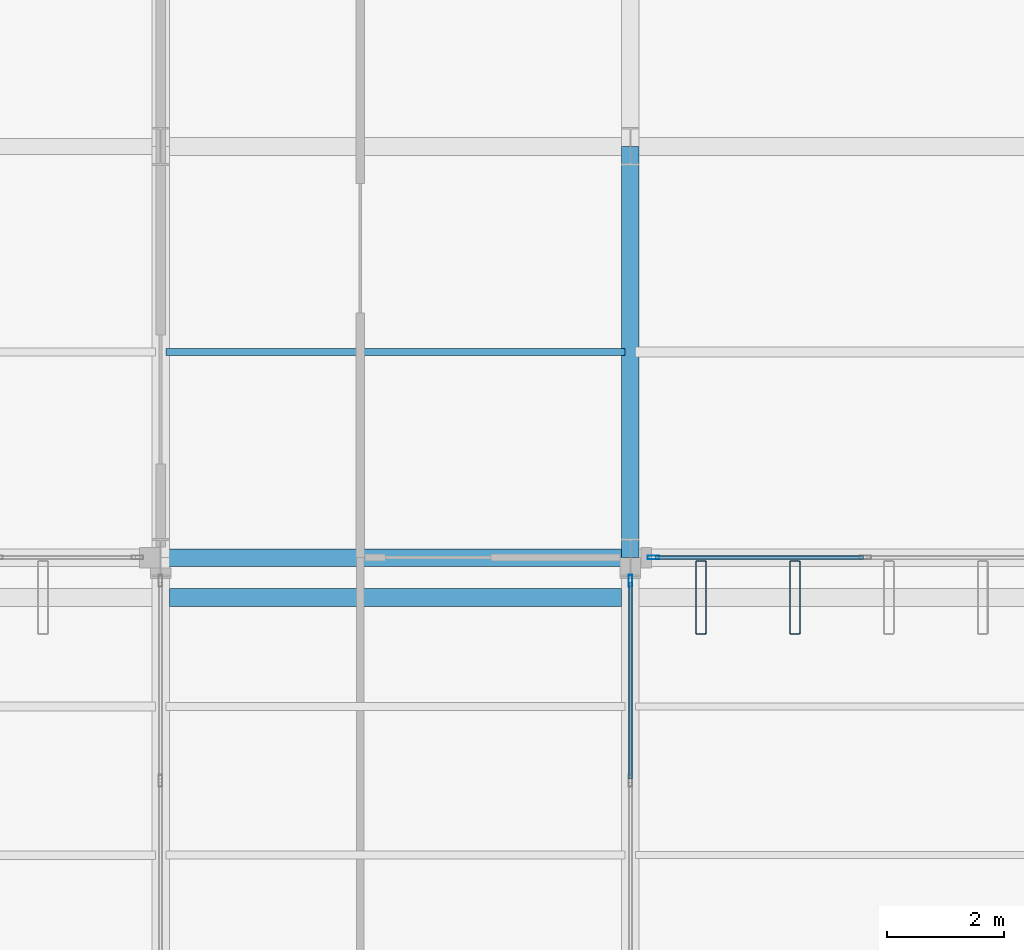
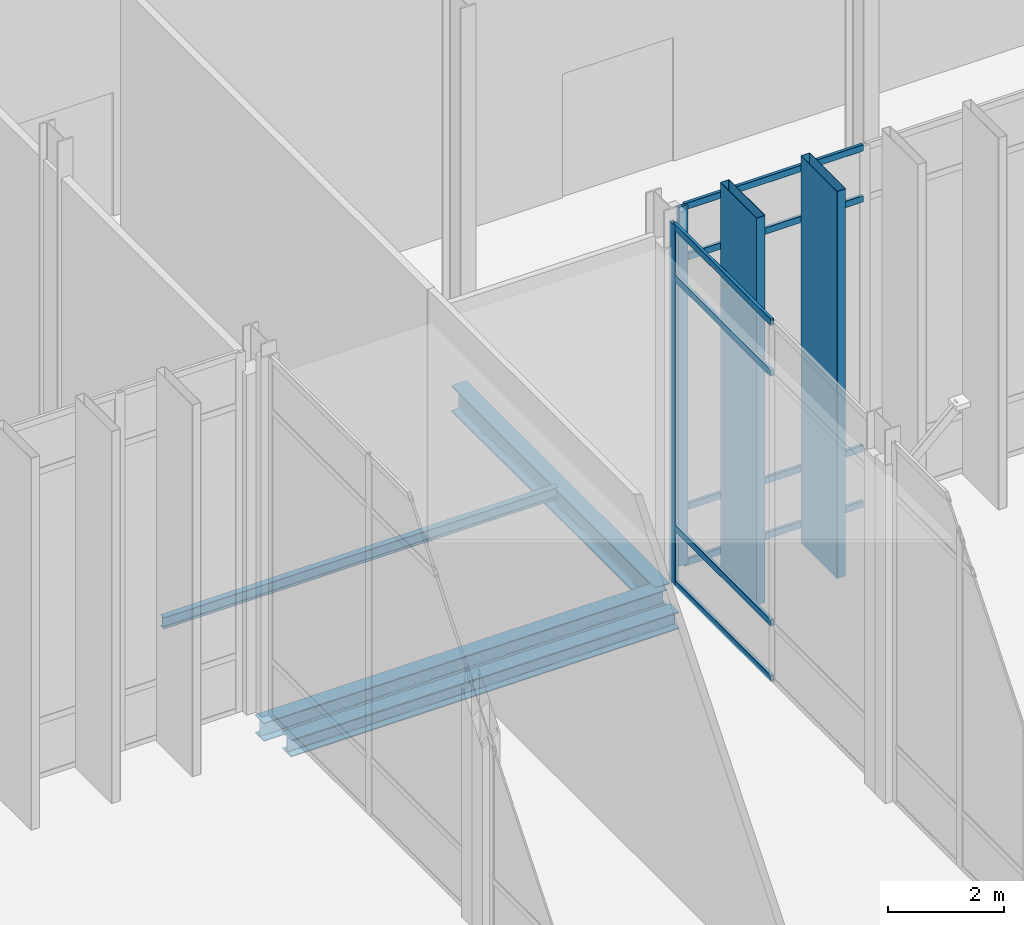
# One storey, part 50 of 176: 12 members, 4 beams, 2 elements without a shape of their own.
"""IFC4 building model written with IfcOpenShell, lengths in metres."""

import ifcopenshell
import ifcopenshell.guid

model = None  # the IFC model being written
_history = None  # IfcOwnerHistory: only IFC2X3 demands one
_inside = {}  # id of a spatial element -> (the spatial element, [elements in it])
_under = {}  # id of a project, library or spatial element -> (it, [spatial elements below it])
_declared = {}  # id of a project -> (the project, [libraries it declares])
_typed = {}  # id of a type object -> (the type object, [elements of that type])
_made_of = {}  # id of a material, layer set ... -> (it, [elements and type objects made of it])


def new_model(schema):
    """Start an empty IFC model of exactly this schema.

    Asked for "IFC4X3", IfcOpenShell would pick the latest addendum, in which some entities
    have other attributes; the version numbers below select the first issue.
    IFC2X3 requires an IfcOwnerHistory on every rooted entity: one is made here for all.
    """
    global model, _history
    if schema == "IFC4X3":
        model = ifcopenshell.file(schema_version=(4, 3, 0, 0))
    else:
        model = ifcopenshell.file(schema=schema)
    _inside.clear()
    _under.clear()
    _declared.clear()
    _typed.clear()
    _made_of.clear()
    _history = None
    if model.schema == "IFC2X3":
        org = make("IfcOrganization", Name="unknown")
        user = make(
            "IfcPersonAndOrganization",
            ThePerson=make("IfcPerson", FamilyName="unknown"),
            TheOrganization=org,
        )
        app = make(
            "IfcApplication",
            ApplicationDeveloper=org,
            Version="unknown",
            ApplicationFullName="unknown",
            ApplicationIdentifier="unknown",
        )
        _history = make(
            "IfcOwnerHistory",
            OwningUser=user,
            OwningApplication=app,
            ChangeAction="ADDED",
            CreationDate=0,
        )
    return model


def make(cls, **values):
    """One entity of the class cls with the attributes given. An attribute that is None is left unset."""
    return model.create_entity(
        cls, **{name: value for name, value in values.items() if value is not None}
    )


def rooted(cls, **values):
    """An entity with a GlobalId (a new one), such as an element, a storey or a relation."""
    return make(cls, GlobalId=ifcopenshell.guid.new(), OwnerHistory=_history, **values)


def si_unit(unit_type, name, prefix=None):
    """IfcSIUnit, for example si_unit("LENGTHUNIT", "METRE", prefix="MILLI")."""
    return make("IfcSIUnit", UnitType=unit_type, Prefix=prefix, Name=name)


def assignment(units):
    """IfcUnitAssignment: the units of a project."""
    return None if units is None else make("IfcUnitAssignment", Units=units)


def point(xyz):
    """IfcCartesianPoint."""
    return None if xyz is None else make("IfcCartesianPoint", Coordinates=xyz)


def direction(xyz):
    """IfcDirection."""
    return None if xyz is None else make("IfcDirection", DirectionRatios=xyz)


def frame(location, z_axis=None, x_axis=None):
    """IfcAxis2Placement3D, a coordinate frame: its origin and axes. An axis left out is left unset."""
    return make(
        "IfcAxis2Placement3D",
        Location=point(location),
        Axis=direction(z_axis),
        RefDirection=direction(x_axis),
    )


def frame_2d(location, x_axis=None):
    """IfcAxis2Placement2D, a coordinate frame in the plane: its origin and x axis."""
    return make(
        "IfcAxis2Placement2D", Location=point(location), RefDirection=direction(x_axis)
    )


def origin():
    """The frame at (0, 0, 0) with its axes left unset."""
    return frame((0.0, 0.0, 0.0))


def origin_2d():
    """The frame at (0, 0) in the plane with its x axis left unset."""
    return frame_2d((0.0, 0.0))


def place(relative_to, where):
    """IfcLocalPlacement: puts the frame where relative to a parent placement (None: the world)."""
    return make(
        "IfcLocalPlacement", PlacementRelTo=relative_to, RelativePlacement=where
    )


def context(
    kind, dimensions, precision=None, world=None, true_north=None, identifier=None
):
    """IfcGeometricRepresentationContext, for example the 3D "Model" context."""
    return make(
        "IfcGeometricRepresentationContext",
        ContextIdentifier=identifier,
        ContextType=kind,
        CoordinateSpaceDimension=dimensions,
        Precision=precision,
        WorldCoordinateSystem=world,
        TrueNorth=true_north,
    )


def subcontext(parent, identifier, kind, view, scale=None):
    """IfcGeometricRepresentationSubContext, for example "Body" below "Model"."""
    return make(
        "IfcGeometricRepresentationSubContext",
        ContextIdentifier=identifier,
        ContextType=kind,
        ParentContext=parent,
        TargetScale=scale,
        TargetView=view,
    )


def project(units=None, contexts=None):
    """IfcProject with its units and contexts."""
    return rooted(
        "IfcProject",
        Name="project",
        RepresentationContexts=contexts,
        UnitsInContext=assignment(units),
    )


def spatial(cls, under=None, at=None, **own):
    """A site, building, storey or space (cls), placed at a placement, below another one or the project."""
    s = rooted(cls, ObjectPlacement=at, **own)
    if under is not None:
        _under.setdefault(under.id(), (under, []))[1].append(s)
    return s


def profile(cls, at=None, kind="AREA", **sizes):
    """A parametric profile (cls). Its sizes go by their IFC names, for example OverallWidth=200.0."""
    return make(cls, ProfileType=kind, Position=at, **sizes)


def hollow_rectangle(**sizes):
    """IfcRectangleHollowProfileDef."""
    return profile("IfcRectangleHollowProfileDef", **sizes)


def i_section(**sizes):
    """IfcIShapeProfileDef."""
    return profile("IfcIShapeProfileDef", **sizes)


def extrude(swept, where, along, depth):
    """IfcExtrudedAreaSolid: the profile swept, set in the frame where, extruded along a direction by depth."""
    return make(
        "IfcExtrudedAreaSolid",
        SweptArea=swept,
        Position=where,
        ExtrudedDirection=direction(along),
        Depth=depth,
    )


def shape(context_of_items, identifier, shape_type, items):
    """IfcShapeRepresentation: the items that make up one representation, for example the "Body"."""
    return make(
        "IfcShapeRepresentation",
        ContextOfItems=context_of_items,
        RepresentationIdentifier=identifier,
        RepresentationType=shape_type,
        Items=items,
    )


def material(Name=None, Category=None):
    """IfcMaterial."""
    return make("IfcMaterial", Name=Name, Category=Category)


def layer(
    of_material, thickness, ventilated=None, Name=None, Category=None, Priority=None
):
    """IfcMaterialLayer: one layer of a wall or slab, of a material (None: an air gap)."""
    return make(
        "IfcMaterialLayer",
        Material=of_material,
        LayerThickness=thickness,
        IsVentilated=ventilated,
        Name=Name,
        Category=Category,
        Priority=Priority,
    )


def layer_set(layers, Name=None):
    """IfcMaterialLayerSet."""
    return make("IfcMaterialLayerSet", MaterialLayers=layers, LayerSetName=Name)


def material_profile(
    of_material, cross_section, Name=None, Category=None, Priority=None
):
    """IfcMaterialProfile: a cross section and its material."""
    return make(
        "IfcMaterialProfile",
        Name=Name,
        Material=of_material,
        Profile=cross_section,
        Priority=Priority,
        Category=Category,
    )


def profile_set(profiles, Name=None, composite=None):
    """IfcMaterialProfileSet."""
    return make(
        "IfcMaterialProfileSet",
        Name=Name,
        MaterialProfiles=profiles,
        CompositeProfile=composite,
    )


def made_of(thing, what):
    """Note that an element or type object is made of a material, layer set ...; save() writes the relation."""
    if what is not None:
        _made_of.setdefault(what.id(), (what, []))[1].append(thing)
    return thing


def type_object(cls, material=None, **own):
    """A type object (cls), such as IfcWallType, which elements share."""
    return made_of(rooted(cls, **own), material)


def element(
    cls,
    number,
    at=None,
    inside=None,
    cuts=None,
    type_object=None,
    material=None,
    context=None,
    identifier="Body",
    shape_type=None,
    held_by="IfcProductDefinitionShape",
    body=None,
    shapes=None,
    **own,
):
    """One element of the class cls, such as IfcWall. Its Tag is "e" and its number.

    at: its placement. inside: the storey or other place that contains it. cuts: it is an
    opening in that element (IfcRelVoidsElement). A single representation is given by context,
    identifier, shape_type and body (its items); several are given by shapes. held_by: the class
    of the entity that holds the representations. save() writes the other relations.
    """
    e = rooted(cls, Tag="e%d" % number, ObjectPlacement=at, **own)
    if body is not None:
        shapes = [shape(context, identifier, shape_type, body)]
    if shapes is not None:
        e.Representation = make(held_by, Representations=shapes)
    if inside is not None:
        _inside.setdefault(inside.id(), (inside, []))[1].append(e)
    if cuts is not None:
        rooted(
            "IfcRelVoidsElement", RelatingBuildingElement=cuts, RelatedOpeningElement=e
        )
    if type_object is not None:
        _typed.setdefault(type_object.id(), (type_object, []))[1].append(e)
    return made_of(e, material)


def aggregate(whole, parts):
    """IfcRelAggregates: a whole, such as a stair, and the parts it consists of."""
    return rooted("IfcRelAggregates", RelatingObject=whole, RelatedObjects=parts)


def save(model, path):
    """Write the relations noted so far, then the file.

    IfcRelAggregates (storeys below a building ...), IfcRelContainedInSpatialStructure (elements
    in a storey), IfcRelDefinesByType, IfcRelAssociatesMaterial and IfcRelDeclares: one each for
    every whole, place, type object, material and project.
    """
    for whole, parts in _under.values():
        aggregate(whole, parts)
    for where, things in _inside.values():
        rooted(
            "IfcRelContainedInSpatialStructure",
            RelatedElements=things,
            RelatingStructure=where,
        )
    for kind, things in _typed.values():
        rooted("IfcRelDefinesByType", RelatedObjects=things, RelatingType=kind)
    for what, things in _made_of.values():
        rooted("IfcRelAssociatesMaterial", RelatedObjects=things, RelatingMaterial=what)
    for by, libraries in _declared.values():
        rooted("IfcRelDeclares", RelatingContext=by, RelatedDefinitions=libraries)
    model.write(path)


model = new_model("IFC4")

# Units and contexts
model_context = context("Model", 3, precision=1e-05, world=origin(), true_north=direction((0.0, 1.0)))
body_context = subcontext(model_context, "Body", "Model", "MODEL_VIEW")
ifc_project = project(units=[si_unit("LENGTHUNIT", "METRE"), si_unit("AREAUNIT", "SQUARE_METRE"), si_unit("VOLUMEUNIT", "CUBIC_METRE"), si_unit("PLANEANGLEUNIT", "RADIAN"), si_unit("MASSUNIT", "GRAM", prefix="KILO")], contexts=[model_context])

# Site, building, storey
site_placement = place(None, origin())
site = spatial("IfcSite", under=ifc_project, at=site_placement, CompositionType="ELEMENT")
building_placement = place(site_placement, origin())
building = spatial("IfcBuilding", under=site, at=building_placement, Name="Vekula Escarpment Museum", CompositionType="ELEMENT")
storey_placement = place(building_placement, origin())
storey = spatial("IfcBuildingStorey", under=building, at=storey_placement, Name="L01", CompositionType="ELEMENT", Elevation=0.0)

# Beams
ifc_material_1 = material(Name="Steel S355", Category="steel")
ifc_material_profile_1 = material_profile(ifc_material_1, i_section(OverallWidth=0.300048828125, OverallDepth=0.360107421875, WebThickness=0.012451171875, FlangeThickness=0.0224609375, FilletRadius=0.027099609375, at=origin_2d()), Name="HEB 360")
ifc_profile_set_1 = profile_set([ifc_material_profile_1], Name="Steel S355")
beam_type_1 = type_object("IfcBeamType", Name="BM-GIRD-HEB360", PredefinedType="BEAM", material=ifc_profile_set_1)
beam_1_placement = place(storey_placement, frame((94.14990234375, 44.919921875, -0.47998046875), z_axis=(1.0, 0.0, 0.0), x_axis=(0.0, 1.0, 0.0)))
element("IfcBeam", 1, at=beam_1_placement, inside=storey, type_object=beam_type_1, Name="Solar Fin Sill Girder 004", PredefinedType="BEAM", context=body_context, shape_type="SweptSolid", body=[
    extrude(i_section(OverallWidth=0.300048828125, OverallDepth=0.360107421875, WebThickness=0.012451171875, FlangeThickness=0.0224609375, FilletRadius=0.027099609375, at=origin_2d()), origin(), (0.0, 0.0, 1.0), 7.7001953125),
])
ifc_material_2 = material(Name="Steel S355", Category="steel")
ifc_material_profile_2 = material_profile(ifc_material_2, i_section(OverallWidth=0.300048828125, OverallDepth=0.550048828125, WebThickness=0.014892578125, FlangeThickness=0.029052734375, FilletRadius=0.027099609375, at=origin_2d()), Name="HEB 550")
ifc_profile_set_2 = profile_set([ifc_material_profile_2], Name="Steel S355")
beam_type_2 = type_object("IfcBeamType", Name="BM-GIRD-HEB550", PredefinedType="BEAM", material=ifc_profile_set_2)
beam_2_placement = place(storey_placement, frame((102.0, 45.60009765625, -0.574951171875), z_axis=(0.0, 1.0, 0.0), x_axis=(-1.0, 0.0, 0.0)))
element("IfcBeam", 2, at=beam_2_placement, inside=storey, type_object=beam_type_2, Name="Beam Y L01 0600", PredefinedType="BEAM", context=body_context, shape_type="SweptSolid", body=[
    extrude(i_section(OverallWidth=0.300048828125, OverallDepth=0.550048828125, WebThickness=0.014892578125, FlangeThickness=0.029052734375, FilletRadius=0.027099609375, at=origin_2d()), origin(), (0.0, 0.0, 1.0), 7.0),
])
ifc_material_3 = material(Name="Steel S355", Category="steel")
ifc_material_profile_3 = material_profile(ifc_material_3, i_section(OverallWidth=0.1201171875, OverallDepth=0.239990234375, WebThickness=0.006103515625, FlangeThickness=0.009765625, FilletRadius=0.014892578125, at=origin_2d()), Name="IPE 240")
ifc_profile_set_3 = profile_set([ifc_material_profile_3], Name="Steel S355")
beam_type_3 = type_object("IfcBeamType", Name="BM-JST-IPE240", PredefinedType="JOIST", material=ifc_profile_set_3)
beam_3_placement = place(storey_placement, frame((94.090087890625, 49.10009765625, -0.419921875), z_axis=(1.0, 0.0, 0.0), x_axis=(0.0, 1.0, 0.0)))
element("IfcBeam", 3, at=beam_3_placement, inside=storey, type_object=beam_type_3, Name="Secondary Joist L01 0300", PredefinedType="JOIST", context=body_context, shape_type="SweptSolid", body=[
    extrude(i_section(OverallWidth=0.1201171875, OverallDepth=0.239990234375, WebThickness=0.006103515625, FlangeThickness=0.009765625, FilletRadius=0.014892578125, at=origin_2d()), origin(), (0.0, 0.0, 1.0), 7.81982421875),
])
ifc_material_4 = material(Name="Steel S355", Category="steel")
ifc_material_profile_4 = material_profile(ifc_material_4, i_section(OverallWidth=0.300048828125, OverallDepth=0.389892578125, WebThickness=0.010986328125, FlangeThickness=0.01904296875, FilletRadius=0.027099609375, at=origin_2d()), Name="HEA 400")
ifc_profile_set_4 = profile_set([ifc_material_profile_4], Name="Steel S355")
beam_type_4 = type_object("IfcBeamType", Name="BM-SPAN-HEA400", PredefinedType="SPANDREL", material=ifc_profile_set_4)
beam_4_placement = place(storey_placement, frame((94.0, 45.60009765625, -0.4951171875), z_axis=(1.0, 0.0, 0.0), x_axis=(0.0, 1.0, 0.0)))
element("IfcBeam", 4, at=beam_4_placement, inside=storey, type_object=beam_type_4, Name="Beam X L01 0128", PredefinedType="SPANDREL", context=body_context, shape_type="SweptSolid", body=[
    extrude(i_section(OverallWidth=0.300048828125, OverallDepth=0.389892578125, WebThickness=0.010986328125, FlangeThickness=0.01904296875, FilletRadius=0.027099609375, at=origin_2d()), origin(), (0.0, 0.0, 1.0), 8.0),
])

# Curtain wall, member
ifc_material_5 = material(Name="Aluminium thermally broken framing", Category="aluminium")
ifc_layer_1 = layer(ifc_material_5, 0.139892578125)
ifc_layer_set_1 = layer_set([ifc_layer_1], Name="Aluminium thermally broken framing")
curtain_wall_type_1 = type_object("IfcCurtainWallType", Name="CW-SYS-06", PredefinedType="NOTDEFINED", material=ifc_layer_set_1)
curtain_wall_1_placement = place(storey_placement, origin())
curtain_wall_1 = element("IfcCurtainWall", 5, at=curtain_wall_1_placement, inside=storey, type_object=curtain_wall_type_1, Name="Curtain Wall CW-L01-006", PredefinedType="NOTDEFINED")
ifc_material_6 = material(Name="Aluminium anodized mullion", Category="aluminium")
ifc_material_profile_5 = material_profile(ifc_material_6, hollow_rectangle(XDim=0.06494140625, YDim=0.199951171875, WallThickness=0.00390625, InnerFilletRadius=0.00390625, OuterFilletRadius=0.008056640625, at=origin_2d()), Name="ALU 200x65x4")
ifc_profile_set_5 = profile_set([ifc_material_profile_5], Name="Aluminium anodized mullion")
member_type_1 = type_object("IfcMemberType", Name="CW-MUL-200", PredefinedType="MULLION", material=ifc_profile_set_5)
member_1_placement = place(storey_placement, frame((102.0, 45.20751953125, 0.0), z_axis=(0.0, 0.0, 1.0), x_axis=(-1.0, 0.0, 0.0)))
member_1 = element("IfcMember", 6, at=member_1_placement, type_object=member_type_1, Name="CW-06 mullion 3", PredefinedType="MULLION", context=body_context, shape_type="SweptSolid", body=[
    extrude(hollow_rectangle(XDim=0.06494140625, YDim=0.199951171875, WallThickness=0.00390625, InnerFilletRadius=0.00390625, OuterFilletRadius=0.008056640625, at=origin_2d()), origin(), (0.0, 0.0, 1.0), 7.5400390625),
])

ifc_material_7 = material(Name="Aluminium thermally broken framing", Category="aluminium")
ifc_layer_2 = layer(ifc_material_7, 0.179931640625)
ifc_layer_set_2 = layer_set([ifc_layer_2], Name="Aluminium thermally broken framing")
curtain_wall_type_2 = type_object("IfcCurtainWallType", Name="CW-SYS-07", PredefinedType="NOTDEFINED", material=ifc_layer_set_2)
curtain_wall_2_placement = place(storey_placement, origin())
curtain_wall_2 = element("IfcCurtainWall", 7, at=curtain_wall_2_placement, inside=storey, type_object=curtain_wall_type_2, Name="Curtain Wall CW-L01-007", PredefinedType="NOTDEFINED")
member_2_placement = place(storey_placement, frame((102.392578125, 45.60009765625, 0.0), z_axis=(0.0, 0.0, 1.0), x_axis=(0.0, 1.0, 0.0)))
member_2 = element("IfcMember", 8, at=member_2_placement, type_object=member_type_1, Name="CW-07 mullion 1", PredefinedType="MULLION", context=body_context, shape_type="SweptSolid", body=[
    extrude(hollow_rectangle(XDim=0.06494140625, YDim=0.199951171875, WallThickness=0.00390625, InnerFilletRadius=0.00390625, OuterFilletRadius=0.008056640625, at=origin_2d()), origin(), (0.0, 0.0, 1.0), 7.5400390625),
])

# Member
ifc_material_8 = material(Name="Aluminium anodized transom", Category="aluminium")
ifc_material_profile_6 = material_profile(ifc_material_8, hollow_rectangle(XDim=0.06494140625, YDim=0.139892578125, WallThickness=0.00390625, InnerFilletRadius=0.00390625, OuterFilletRadius=0.008056640625, at=origin_2d()), Name="ALU 140x65x4")
ifc_profile_set_6 = profile_set([ifc_material_profile_6], Name="Aluminium anodized transom")
member_type_2 = type_object("IfcMemberType", Name="CW-TRN-140", PredefinedType="USERDEFINED", material=ifc_profile_set_6)
member_3_placement = place(storey_placement, frame((102.0, 41.83251953125, 0.032470703125), z_axis=(0.0, 1.0, 0.0), x_axis=(-1.0, 0.0, 0.0)))
member_3 = element("IfcMember", 9, at=member_3_placement, type_object=member_type_2, Name="CW-06 transom 2.1", ObjectType="TRANSOM", PredefinedType="USERDEFINED", context=body_context, shape_type="SweptSolid", body=[
    extrude(hollow_rectangle(XDim=0.06494140625, YDim=0.139892578125, WallThickness=0.00390625, InnerFilletRadius=0.00390625, OuterFilletRadius=0.008056640625, at=origin_2d()), origin(), (0.0, 0.0, 1.0), 3.342529296875),
])

member_4_placement = place(storey_placement, frame((102.0, 41.83251953125, 1.199951171875), z_axis=(0.0, 1.0, 0.0), x_axis=(-1.0, 0.0, 0.0)))
member_4 = element("IfcMember", 10, at=member_4_placement, type_object=member_type_2, Name="CW-06 transom 2.2", ObjectType="TRANSOM", PredefinedType="USERDEFINED", context=body_context, shape_type="SweptSolid", body=[
    extrude(hollow_rectangle(XDim=0.06494140625, YDim=0.139892578125, WallThickness=0.00390625, InnerFilletRadius=0.00390625, OuterFilletRadius=0.008056640625, at=origin_2d()), origin(), (0.0, 0.0, 1.0), 3.342529296875),
])

member_5_placement = place(storey_placement, frame((102.0, 41.83251953125, 6.43994140625), z_axis=(0.0, 1.0, 0.0), x_axis=(-1.0, 0.0, 0.0)))
member_5 = element("IfcMember", 11, at=member_5_placement, type_object=member_type_2, Name="CW-06 transom 2.3", ObjectType="TRANSOM", PredefinedType="USERDEFINED", context=body_context, shape_type="SweptSolid", body=[
    extrude(hollow_rectangle(XDim=0.06494140625, YDim=0.139892578125, WallThickness=0.00390625, InnerFilletRadius=0.00390625, OuterFilletRadius=0.008056640625, at=origin_2d()), origin(), (0.0, 0.0, 1.0), 3.342529296875),
])

member_6_placement = place(storey_placement, frame((102.0, 41.83251953125, 7.507568359375), z_axis=(0.0, 1.0, 0.0), x_axis=(-1.0, 0.0, 0.0)))
member_6 = element("IfcMember", 12, at=member_6_placement, type_object=member_type_2, Name="CW-06 transom 2.4", ObjectType="TRANSOM", PredefinedType="USERDEFINED", context=body_context, shape_type="SweptSolid", body=[
    extrude(hollow_rectangle(XDim=0.06494140625, YDim=0.139892578125, WallThickness=0.00390625, InnerFilletRadius=0.00390625, OuterFilletRadius=0.008056640625, at=origin_2d()), origin(), (0.0, 0.0, 1.0), 3.342529296875),
])

aggregate(curtain_wall_1, [member_1, member_3, member_4, member_5, member_6])

member_7_placement = place(storey_placement, frame((102.425048828125, 45.60009765625, 0.032470703125), z_axis=(1.0, 0.0, 0.0), x_axis=(0.0, 1.0, 0.0)))
member_7 = element("IfcMember", 13, at=member_7_placement, type_object=member_type_2, Name="CW-07 transom 1.1", ObjectType="TRANSOM", PredefinedType="USERDEFINED", context=body_context, shape_type="SweptSolid", body=[
    extrude(hollow_rectangle(XDim=0.06494140625, YDim=0.139892578125, WallThickness=0.00390625, InnerFilletRadius=0.00390625, OuterFilletRadius=0.008056640625, at=origin_2d()), origin(), (0.0, 0.0, 1.0), 3.54248046875),
])

member_8_placement = place(storey_placement, frame((102.425048828125, 45.60009765625, 1.199951171875), z_axis=(1.0, 0.0, 0.0), x_axis=(0.0, 1.0, 0.0)))
member_8 = element("IfcMember", 14, at=member_8_placement, type_object=member_type_2, Name="CW-07 transom 1.2", ObjectType="TRANSOM", PredefinedType="USERDEFINED", context=body_context, shape_type="SweptSolid", body=[
    extrude(hollow_rectangle(XDim=0.06494140625, YDim=0.139892578125, WallThickness=0.00390625, InnerFilletRadius=0.00390625, OuterFilletRadius=0.008056640625, at=origin_2d()), origin(), (0.0, 0.0, 1.0), 3.54248046875),
])

member_9_placement = place(storey_placement, frame((102.425048828125, 45.60009765625, 6.43994140625), z_axis=(1.0, 0.0, 0.0), x_axis=(0.0, 1.0, 0.0)))
member_9 = element("IfcMember", 15, at=member_9_placement, type_object=member_type_2, Name="CW-07 transom 1.3", ObjectType="TRANSOM", PredefinedType="USERDEFINED", context=body_context, shape_type="SweptSolid", body=[
    extrude(hollow_rectangle(XDim=0.06494140625, YDim=0.139892578125, WallThickness=0.00390625, InnerFilletRadius=0.00390625, OuterFilletRadius=0.008056640625, at=origin_2d()), origin(), (0.0, 0.0, 1.0), 3.54248046875),
])

member_10_placement = place(storey_placement, frame((102.425048828125, 45.60009765625, 7.507568359375), z_axis=(1.0, 0.0, 0.0), x_axis=(0.0, 1.0, 0.0)))
member_10 = element("IfcMember", 16, at=member_10_placement, type_object=member_type_2, Name="CW-07 transom 1.4", ObjectType="TRANSOM", PredefinedType="USERDEFINED", context=body_context, shape_type="SweptSolid", body=[
    extrude(hollow_rectangle(XDim=0.06494140625, YDim=0.139892578125, WallThickness=0.00390625, InnerFilletRadius=0.00390625, OuterFilletRadius=0.008056640625, at=origin_2d()), origin(), (0.0, 0.0, 1.0), 3.54248046875),
])

aggregate(curtain_wall_2, [member_2, member_7, member_8, member_9, member_10])

# Members
ifc_material_9 = material(Name="Steel S355 weathered bronze solar fin", Category="steel")
ifc_material_profile_7 = material_profile(ifc_material_9, hollow_rectangle(XDim=0.179931640625, YDim=1.25, WallThickness=0.010009765625, InnerFilletRadius=0.010009765625, OuterFilletRadius=0.02001953125, at=origin_2d()), Name="RHS 1250x180x10")
ifc_profile_set_7 = profile_set([ifc_material_profile_7], Name="Steel S355 weathered bronze solar fin")
member_type_3 = type_object("IfcMemberType", Name="MB-SOLAR-FIN", PredefinedType="USERDEFINED", material=ifc_profile_set_7)
for number, where, z_axis, x_axis, name in (
    (17, (103.199951171875, 44.919921875, -0.320068359375), (0.0, 0.0, 1.0), (1.0, 0.0, 0.0), "Great Hall Vertical Solar Fin 0066"),
    (18, (104.800048828125, 44.919921875, -0.320068359375), (0.0, 0.0, 1.0), (1.0, 0.0, 0.0), "Great Hall Vertical Solar Fin 0071"),
):
    element("IfcMember", number, at=place(storey_placement, frame(where, z_axis=z_axis, x_axis=x_axis)), inside=storey, type_object=member_type_3, Name=name, ObjectType="SOLAR FIN", PredefinedType="USERDEFINED", context=body_context, shape_type="SweptSolid", body=[
        extrude(hollow_rectangle(XDim=0.179931640625, YDim=1.25, WallThickness=0.010009765625, InnerFilletRadius=0.010009765625, OuterFilletRadius=0.02001953125, at=origin_2d()), origin(), (0.0, 0.0, 1.0), 8.1201171875),
    ])

save(model, "model.ifc")
